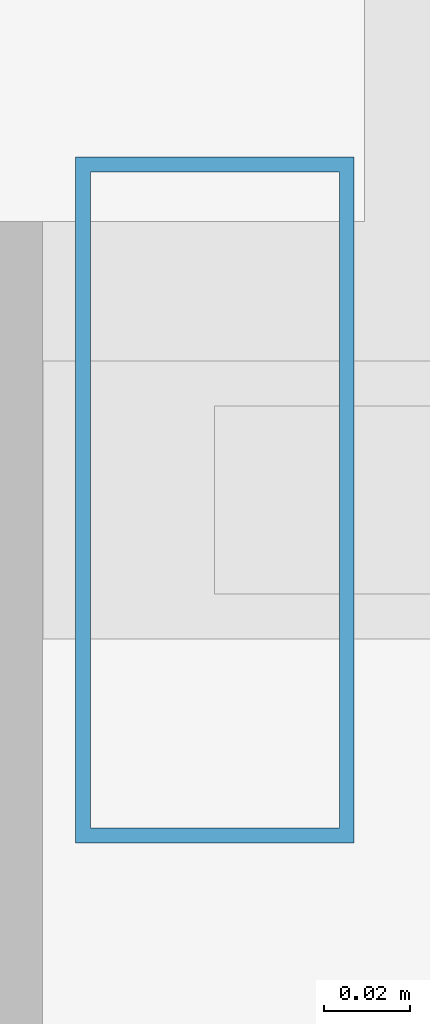
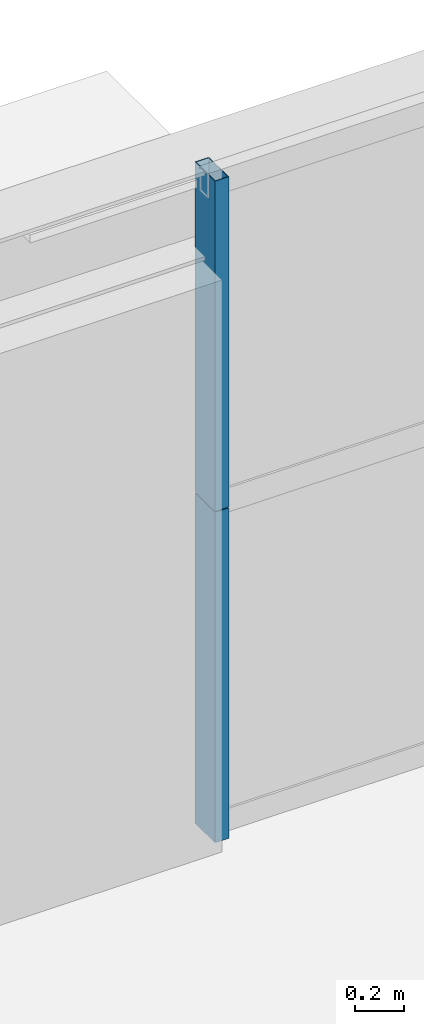
# One storey, part 25 of 38: 2 members, 1 element without a shape of its own.
"""IFC4 building model written with IfcOpenShell, lengths in metres."""

from ifc_helpers import new_model, si_unit, direction, frame, origin, origin_2d, place, context, subcontext, project, spatial, hollow_rectangle, extrude, source, transform, mapped, material, layer, layer_set, material_profile, profile_set, type_object, element, aggregate, save


model = new_model("IFC4")

# Units and contexts
model_context = context("Model", 3, precision=1e-05, world=origin(), true_north=direction((0.0, 1.0)))
body_context = subcontext(model_context, "Body", "Model", "MODEL_VIEW")
ifc_project = project(units=[si_unit("LENGTHUNIT", "METRE"), si_unit("AREAUNIT", "SQUARE_METRE"), si_unit("VOLUMEUNIT", "CUBIC_METRE"), si_unit("PLANEANGLEUNIT", "RADIAN"), si_unit("MASSUNIT", "GRAM", prefix="KILO"), si_unit("THERMODYNAMICTEMPERATUREUNIT", "KELVIN"), si_unit("POWERUNIT", "WATT")], contexts=[model_context])

# Site, building, storey
site_placement = place(None, origin())
site = spatial("IfcSite", under=ifc_project, at=site_placement, CompositionType="ELEMENT")
building_placement = place(site_placement, origin())
building = spatial("IfcBuilding", under=site, at=building_placement, Name="Yuzanri Waterfront Tower", CompositionType="ELEMENT")
storey_placement = place(building_placement, frame((0.0, 0.0, 209.0)))
storey = spatial("IfcBuildingStorey", under=building, at=storey_placement, Name="L55", CompositionType="ELEMENT", Elevation=209.0)

# Curtain wall, members
ifc_material_1 = material(Name="Anodized Architectural Bronze", Category="metal")
ifc_layer = layer(ifc_material_1, 0.159912109375)
ifc_layer_set = layer_set([ifc_layer], Name="Anodized Architectural Bronze")
curtain_wall_type = type_object("IfcCurtainWallType", Name="Anodized Bronze Mid-Rise Residential Acoustic Unitized Curtain Wall 7200", PredefinedType="NOTDEFINED", material=ifc_layer_set)
curtain_wall_placement = place(storey_placement, origin())
curtain_wall = element("IfcCurtainWall", 1, at=curtain_wall_placement, inside=storey, type_object=curtain_wall_type, Name="L55 Curtain Wall CW-L55-NL", PredefinedType="NOTDEFINED")
ifc_material_2 = material(Name="Anodized Architectural Bronze", Category="metal")
ifc_material_profile = material_profile(ifc_material_2, hollow_rectangle(XDim=0.06494140625, YDim=0.159912109375, WallThickness=0.00341796875, at=origin_2d()), Name="CWM 65x160")
ifc_profile_set = profile_set([ifc_material_profile], Name="Anodized Architectural Bronze")
member_type = type_object("IfcMemberType", Name="Anodized Bronze Upper-Zone Curtain-Wall Mullion 65x160", PredefinedType="MULLION", material=ifc_profile_set)
shared_shape = source(origin(), body_context, "Body", "SweptSolid", [
    extrude(hollow_rectangle(XDim=0.06494140625, YDim=0.159912109375, WallThickness=0.00341796875, at=origin_2d()), origin(), (0.0, 0.0, 1.0), 1.637939453125),
])
member_1_placement = place(storey_placement, frame((22.2900390625, 47.75, 0.0), z_axis=(0.0, 0.0, 1.0), x_axis=(1.0, 0.0, 0.0)))
member_1 = element("IfcMember", 2, at=member_1_placement, type_object=member_type, Name="CW-L55-NL Lower Mullion 00", PredefinedType="MULLION", context=body_context, shape_type="MappedRepresentation", body=[
    mapped(shared_shape, transform((0.0, 0.0, 0.0), scale=1.0)),
])
member_2_placement = place(storey_placement, frame((22.2900390625, 47.75, 1.64208984375), z_axis=(0.0, 0.0, 1.0), x_axis=(1.0, 0.0, 0.0)))
member_2 = element("IfcMember", 3, at=member_2_placement, type_object=member_type, Name="CW-L55-NL Upper Mullion 00", PredefinedType="MULLION", context=body_context, shape_type="MappedRepresentation", body=[
    mapped(shared_shape, transform((0.0, 0.0, 0.0), scale=1.0)),
])
aggregate(curtain_wall, [member_1, member_2])

save(model, "model.ifc")
